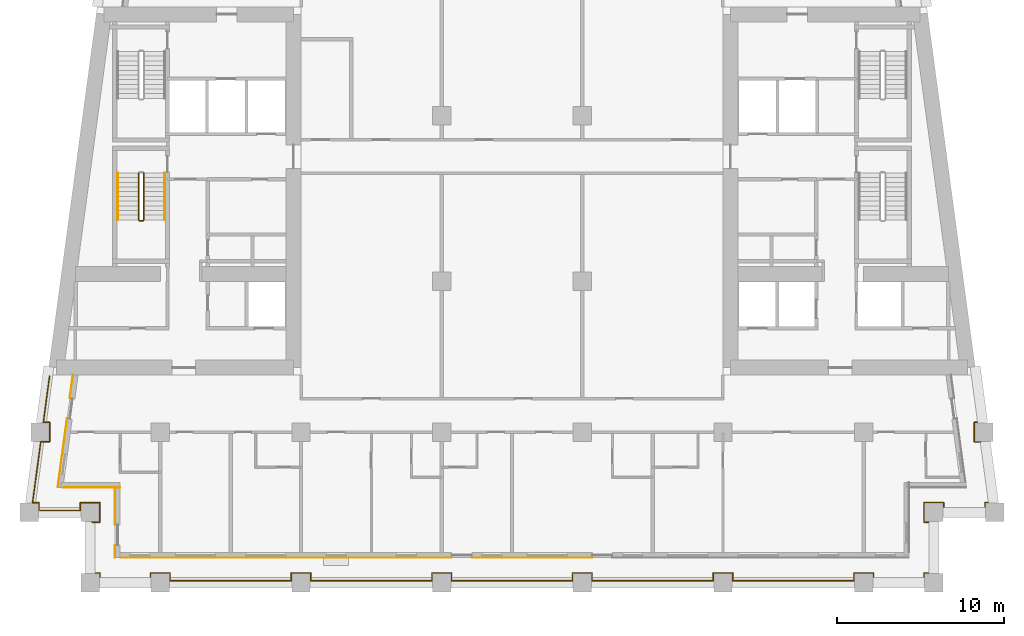
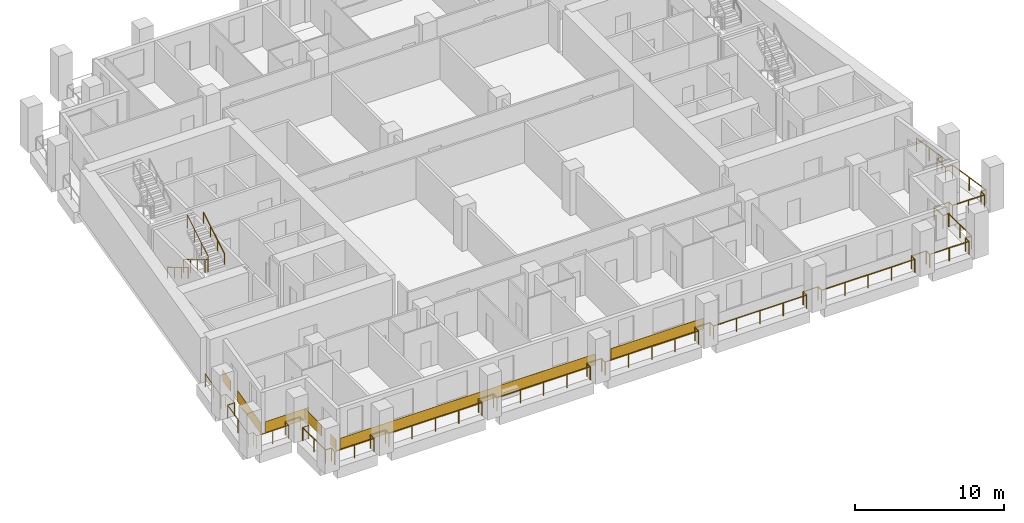
# One storey, part 9 of 13: 7 coverings, 5 railings.
"""IFC4 building model written with IfcOpenShell, lengths in metres."""

from ifc_helpers import new_model, si_unit, direction, frame, origin, origin_2d, place, context, subcontext, project, spatial, rectangle, circle, extrude, material, layer, layer_set, type_object, element, save


model = new_model("IFC4")

# Units and contexts
model_context = context("Model", 3, precision=1e-05, world=origin(), true_north=direction((0.0, 1.0)))
body_context = subcontext(model_context, "Body", "Model", "MODEL_VIEW")
ifc_project = project(units=[si_unit("LENGTHUNIT", "METRE"), si_unit("AREAUNIT", "SQUARE_METRE"), si_unit("VOLUMEUNIT", "CUBIC_METRE"), si_unit("PLANEANGLEUNIT", "RADIAN"), si_unit("MASSUNIT", "GRAM", prefix="KILO")], contexts=[model_context])

# Site, building, storey
site_placement = place(None, origin())
site = spatial("IfcSite", under=ifc_project, at=site_placement, CompositionType="ELEMENT")
building_placement = place(site_placement, origin())
building = spatial("IfcBuilding", under=site, at=building_placement, Name="Candeia Pilgrim Tower and Theatre", CompositionType="ELEMENT")
storey_placement = place(building_placement, frame((0.0, 0.0, 170.0)))
storey = spatial("IfcBuildingStorey", under=building, at=storey_placement, Name="L40", CompositionType="ELEMENT", Elevation=170.0)

# Railings
ifc_material_1 = material(Name="Stainless steel balustrade", Category="steel")
railing_type_1 = type_object("IfcRailingType", Name="G1 loggia guard 1100", PredefinedType="GUARDRAIL", material=ifc_material_1)
railing_1_placement = place(storey_placement, frame((88.320068359375, 101.6201171875, 0.0)))
element("IfcRailing", 1, at=railing_1_placement, inside=storey, type_object=railing_type_1, Name="Guard L40.1", PredefinedType="GUARDRAIL", context=body_context, shape_type="SweptSolid", body=[
    extrude(circle(Radius=0.02392578125, at=origin_2d()), frame((0.0, 0.0, 1.076171875), z_axis=(1.0, 0.0, 0.0), x_axis=(0.0, 1.0, 0.0)), (0.0, 0.0, 1.0), 0.4599609375),
    extrude(circle(Radius=0.02392578125, at=origin_2d()), frame((0.4599609375, 0.0, 1.076171875), z_axis=(0.0, 1.0, 0.0), x_axis=(-1.0, 0.0, 0.0)), (0.0, 0.0, 1.0), 1.159912109375),
    extrude(circle(Radius=0.02392578125, at=origin_2d()), frame((0.4599609375, 1.159912109375, 1.076171875), z_axis=(-1.0, 0.0, 0.0), x_axis=(0.0, -1.0, 0.0)), (0.0, 0.0, 1.0), 1.159912109375),
    extrude(circle(Radius=0.02392578125, at=origin_2d()), frame((-0.699951171875, 1.159912109375, 1.076171875), z_axis=(0.0, -1.0, 0.0), x_axis=(1.0, 0.0, 0.0)), (0.0, 0.0, 1.0), 0.4599609375),
    extrude(circle(Radius=0.02392578125, at=origin_2d()), frame((-0.699951171875, 0.699951171875, 1.076171875), z_axis=(-1.0, 0.0, 0.0), x_axis=(0.0, -1.0, 0.0)), (0.0, 0.0, 1.0), 2.474853515625),
    extrude(circle(Radius=0.02392578125, at=origin_2d()), frame((-3.1748046875, 0.699951171875, 1.076171875), z_axis=(0.0, 1.0, 0.0), x_axis=(-1.0, 0.0, 0.0)), (0.0, 0.0, 1.0), 0.4599609375),
    extrude(circle(Radius=0.02392578125, at=origin_2d()), frame((-3.1748046875, 1.159912109375, 1.076171875), z_axis=(-1.0, 0.0, 0.0), x_axis=(0.0, -1.0, 0.0)), (0.0, 0.0, 1.0), 0.380615234375),
    extrude(circle(Radius=0.02392578125, at=origin_2d()), frame((-3.555419921875, 1.159912109375, 1.076171875), z_axis=(0.133413267734, 0.9910604926, 0.0), x_axis=(-0.9910604926, 0.133413267734, 0.0)), (0.0, 0.0, 1.0), 3.672607421875),
    extrude(circle(Radius=0.02392578125, at=origin_2d()), frame((-3.0654296875, 4.7998046875, 1.076171875), z_axis=(1.0, 0.0, 0.0), x_axis=(0.0, 1.0, 0.0)), (0.0, 0.0, 1.0), 0.536865234375),
    extrude(circle(Radius=0.02392578125, at=origin_2d()), frame((-2.528564453125, 4.7998046875, 1.076171875), z_axis=(0.0, 1.0, 0.0), x_axis=(-1.0, 0.0, 0.0)), (0.0, 0.0, 1.0), 1.16015625),
    extrude(circle(Radius=0.02392578125, at=origin_2d()), frame((-2.528564453125, 5.9599609375, 1.076171875), z_axis=(-1.0, 0.0, 0.0), x_axis=(0.0, -1.0, 0.0)), (0.0, 0.0, 1.0), 0.380859375),
    extrude(circle(Radius=0.02392578125, at=origin_2d()), frame((-2.909423828125, 5.9599609375, 1.076171875), z_axis=(0.133468107709, 0.99105310868, 0.0), x_axis=(-0.99105310868, 0.133468107709, 0.0)), (0.0, 0.0, 1.0), 2.794921875),
    extrude(circle(Radius=0.02099609375, at=origin_2d()), origin(), (0.0, 0.0, 1.0), 1.052001953125),
    extrude(circle(Radius=0.02099609375, at=origin_2d()), frame((0.4599609375, 0.0, 0.0)), (0.0, 0.0, 1.0), 1.052001953125),
    extrude(circle(Radius=0.02099609375, at=origin_2d()), frame((0.4599609375, 1.159912109375, 0.0)), (0.0, 0.0, 1.0), 1.052001953125),
    extrude(circle(Radius=0.02099609375, at=origin_2d()), frame((-0.699951171875, 1.159912109375, 0.0)), (0.0, 0.0, 1.0), 1.052001953125),
    extrude(circle(Radius=0.02099609375, at=origin_2d()), frame((-0.699951171875, 0.699951171875, 0.0)), (0.0, 0.0, 1.0), 1.052001953125),
    extrude(circle(Radius=0.02099609375, at=origin_2d()), frame((-1.9375, 0.699951171875, 0.0)), (0.0, 0.0, 1.0), 1.052001953125),
    extrude(circle(Radius=0.02099609375, at=origin_2d()), frame((-3.1748046875, 0.699951171875, 0.0)), (0.0, 0.0, 1.0), 1.052001953125),
    extrude(circle(Radius=0.02099609375, at=origin_2d()), frame((-3.1748046875, 1.159912109375, 0.0)), (0.0, 0.0, 1.0), 1.052001953125),
    extrude(circle(Radius=0.02099609375, at=origin_2d()), frame((-3.555419921875, 1.159912109375, 0.0)), (0.0, 0.0, 1.0), 1.052001953125),
    extrude(circle(Radius=0.02099609375, at=origin_2d()), frame((-3.310546875, 2.97998046875, 0.0)), (0.0, 0.0, 1.0), 1.052001953125),
    extrude(circle(Radius=0.02099609375, at=origin_2d()), frame((-3.0654296875, 4.7998046875, 0.0)), (0.0, 0.0, 1.0), 1.052001953125),
    extrude(circle(Radius=0.02099609375, at=origin_2d()), frame((-2.528564453125, 4.7998046875, 0.0)), (0.0, 0.0, 1.0), 1.052001953125),
    extrude(circle(Radius=0.02099609375, at=origin_2d()), frame((-2.528564453125, 5.9599609375, 0.0)), (0.0, 0.0, 1.0), 1.052001953125),
    extrude(circle(Radius=0.02099609375, at=origin_2d()), frame((-2.909423828125, 5.9599609375, 0.0)), (0.0, 0.0, 1.0), 1.052001953125),
    extrude(circle(Radius=0.02099609375, at=origin_2d()), frame((-2.722900390625, 7.344970703125, 0.0)), (0.0, 0.0, 1.0), 1.052001953125),
    extrude(circle(Radius=0.02099609375, at=origin_2d()), frame((-2.536376953125, 8.72998046875, 0.0)), (0.0, 0.0, 1.0), 1.052001953125),
])
railing_2_placement = place(storey_placement, frame((141.016357421875, 110.35009765625, 0.0)))
element("IfcRailing", 2, at=railing_2_placement, inside=storey, type_object=railing_type_1, Name="Guard L40.4", PredefinedType="GUARDRAIL", context=body_context, shape_type="SweptSolid", body=[
    extrude(circle(Radius=0.02392578125, at=origin_2d()), frame((0.0, 0.0, 1.076171875), z_axis=(0.133468107709, -0.99105310868, 0.0), x_axis=(0.99105310868, 0.133468107709, 0.0)), (0.0, 0.0, 1.0), 2.794921875),
    extrude(circle(Radius=0.02392578125, at=origin_2d()), frame((0.373046875, -2.77001953125, 1.076171875), z_axis=(-1.0, 0.0, 0.0), x_axis=(0.0, -1.0, 0.0)), (0.0, 0.0, 1.0), 0.380859375),
    extrude(circle(Radius=0.02392578125, at=origin_2d()), frame((-0.0078125, -2.77001953125, 1.076171875), z_axis=(0.0, -1.0, 0.0), x_axis=(1.0, 0.0, 0.0)), (0.0, 0.0, 1.0), 1.16015625),
    extrude(circle(Radius=0.02392578125, at=origin_2d()), frame((-0.0078125, -3.93017578125, 1.076171875), z_axis=(1.0, 0.0, 0.0), x_axis=(0.0, 1.0, 0.0)), (0.0, 0.0, 1.0), 0.536865234375),
    extrude(circle(Radius=0.02392578125, at=origin_2d()), frame((0.529052734375, -3.93017578125, 1.076171875), z_axis=(0.133413267734, -0.9910604926, 0.0), x_axis=(0.9910604926, 0.133413267734, 0.0)), (0.0, 0.0, 1.0), 3.672607421875),
    extrude(circle(Radius=0.02392578125, at=origin_2d()), frame((1.01904296875, -7.570068359375, 1.076171875), z_axis=(-1.0, 0.0, 0.0), x_axis=(0.0, -1.0, 0.0)), (0.0, 0.0, 1.0), 0.380859375),
    extrude(circle(Radius=0.02392578125, at=origin_2d()), frame((0.63818359375, -7.570068359375, 1.076171875), z_axis=(0.0, -1.0, 0.0), x_axis=(1.0, 0.0, 0.0)), (0.0, 0.0, 1.0), 0.4599609375),
    extrude(circle(Radius=0.02392578125, at=origin_2d()), frame((0.63818359375, -8.030029296875, 1.076171875), z_axis=(-1.0, 0.0, 0.0), x_axis=(0.0, -1.0, 0.0)), (0.0, 0.0, 1.0), 2.474609375),
    extrude(circle(Radius=0.02392578125, at=origin_2d()), frame((-1.83642578125, -8.030029296875, 1.076171875), z_axis=(0.0, 1.0, 0.0), x_axis=(-1.0, 0.0, 0.0)), (0.0, 0.0, 1.0), 0.4599609375),
    extrude(circle(Radius=0.02392578125, at=origin_2d()), frame((-1.83642578125, -7.570068359375, 1.076171875), z_axis=(-1.0, 0.0, 0.0), x_axis=(0.0, -1.0, 0.0)), (0.0, 0.0, 1.0), 1.159912109375),
    extrude(circle(Radius=0.02392578125, at=origin_2d()), frame((-2.996337890625, -7.570068359375, 1.076171875), z_axis=(0.0, -1.0, 0.0), x_axis=(1.0, 0.0, 0.0)), (0.0, 0.0, 1.0), 1.159912109375),
    extrude(circle(Radius=0.02392578125, at=origin_2d()), frame((-2.996337890625, -8.72998046875, 1.076171875), z_axis=(1.0, 0.0, 0.0), x_axis=(0.0, 1.0, 0.0)), (0.0, 0.0, 1.0), 0.4599609375),
    extrude(circle(Radius=0.02392578125, at=origin_2d()), frame((-2.536376953125, -8.72998046875, 1.076171875), z_axis=(0.0, -1.0, 0.0), x_axis=(1.0, 0.0, 0.0)), (0.0, 0.0, 1.0), 3.0400390625),
    extrude(circle(Radius=0.02392578125, at=origin_2d()), frame((-2.536376953125, -11.77001953125, 1.076171875), z_axis=(-1.0, 0.0, 0.0), x_axis=(0.0, -1.0, 0.0)), (0.0, 0.0, 1.0), 0.4599609375),
    extrude(circle(Radius=0.02392578125, at=origin_2d()), frame((-2.996337890625, -11.77001953125, 1.076171875), z_axis=(0.0, -1.0, 0.0), x_axis=(1.0, 0.0, 0.0)), (0.0, 0.0, 1.0), 0.4599609375),
    extrude(circle(Radius=0.02392578125, at=origin_2d()), frame((-2.996337890625, -12.22998046875, 1.076171875), z_axis=(-1.0, 0.0, 0.0), x_axis=(0.0, -1.0, 0.0)), (0.0, 0.0, 1.0), 3.0400390625),
    extrude(circle(Radius=0.02392578125, at=origin_2d()), frame((-6.036376953125, -12.22998046875, 1.076171875), z_axis=(0.0, 1.0, 0.0), x_axis=(-1.0, 0.0, 0.0)), (0.0, 0.0, 1.0), 0.4599609375),
    extrude(circle(Radius=0.02392578125, at=origin_2d()), frame((-6.036376953125, -11.77001953125, 1.076171875), z_axis=(-1.0, 0.0, 0.0), x_axis=(0.0, -1.0, 0.0)), (0.0, 0.0, 1.0), 1.159912109375),
    extrude(circle(Radius=0.02392578125, at=origin_2d()), frame((-7.1962890625, -11.77001953125, 1.076171875), z_axis=(0.0, -1.0, 0.0), x_axis=(1.0, 0.0, 0.0)), (0.0, 0.0, 1.0), 0.4599609375),
    extrude(circle(Radius=0.02392578125, at=origin_2d()), frame((-7.1962890625, -12.22998046875, 1.076171875), z_axis=(-1.0, 0.0, 0.0), x_axis=(0.0, -1.0, 0.0)), (0.0, 0.0, 1.0), 7.239990234375),
    extrude(circle(Radius=0.02392578125, at=origin_2d()), frame((-14.436279296875, -12.22998046875, 1.076171875), z_axis=(0.0, 1.0, 0.0), x_axis=(-1.0, 0.0, 0.0)), (0.0, 0.0, 1.0), 0.4599609375),
    extrude(circle(Radius=0.02392578125, at=origin_2d()), frame((-14.436279296875, -11.77001953125, 1.076171875), z_axis=(-1.0, 0.0, 0.0), x_axis=(0.0, -1.0, 0.0)), (0.0, 0.0, 1.0), 1.16015625),
    extrude(circle(Radius=0.02392578125, at=origin_2d()), frame((-15.596435546875, -11.77001953125, 1.076171875), z_axis=(0.0, -1.0, 0.0), x_axis=(1.0, 0.0, 0.0)), (0.0, 0.0, 1.0), 0.4599609375),
    extrude(circle(Radius=0.02392578125, at=origin_2d()), frame((-15.596435546875, -12.22998046875, 1.076171875), z_axis=(-1.0, 0.0, 0.0), x_axis=(0.0, -1.0, 0.0)), (0.0, 0.0, 1.0), 7.239990234375),
    extrude(circle(Radius=0.02392578125, at=origin_2d()), frame((-22.83642578125, -12.22998046875, 1.076171875), z_axis=(0.0, 1.0, 0.0), x_axis=(-1.0, 0.0, 0.0)), (0.0, 0.0, 1.0), 0.4599609375),
    extrude(circle(Radius=0.02392578125, at=origin_2d()), frame((-22.83642578125, -11.77001953125, 1.076171875), z_axis=(-1.0, 0.0, 0.0), x_axis=(0.0, -1.0, 0.0)), (0.0, 0.0, 1.0), 1.159912109375),
    extrude(circle(Radius=0.02392578125, at=origin_2d()), frame((-23.996337890625, -11.77001953125, 1.076171875), z_axis=(0.0, -1.0, 0.0), x_axis=(1.0, 0.0, 0.0)), (0.0, 0.0, 1.0), 0.4599609375),
    extrude(circle(Radius=0.02392578125, at=origin_2d()), frame((-23.996337890625, -12.22998046875, 1.076171875), z_axis=(-1.0, 0.0, 0.0), x_axis=(0.0, -1.0, 0.0)), (0.0, 0.0, 1.0), 7.239990234375),
    extrude(circle(Radius=0.02392578125, at=origin_2d()), frame((-31.236328125, -12.22998046875, 1.076171875), z_axis=(0.0, 1.0, 0.0), x_axis=(-1.0, 0.0, 0.0)), (0.0, 0.0, 1.0), 0.4599609375),
    extrude(circle(Radius=0.02392578125, at=origin_2d()), frame((-31.236328125, -11.77001953125, 1.076171875), z_axis=(-1.0, 0.0, 0.0), x_axis=(0.0, -1.0, 0.0)), (0.0, 0.0, 1.0), 1.159912109375),
    extrude(circle(Radius=0.02392578125, at=origin_2d()), frame((-32.396240234375, -11.77001953125, 1.076171875), z_axis=(0.0, -1.0, 0.0), x_axis=(1.0, 0.0, 0.0)), (0.0, 0.0, 1.0), 0.4599609375),
    extrude(circle(Radius=0.02392578125, at=origin_2d()), frame((-32.396240234375, -12.22998046875, 1.076171875), z_axis=(-1.0, 0.0, 0.0), x_axis=(0.0, -1.0, 0.0)), (0.0, 0.0, 1.0), 7.240234375),
    extrude(circle(Radius=0.02392578125, at=origin_2d()), frame((-39.636474609375, -12.22998046875, 1.076171875), z_axis=(0.0, 1.0, 0.0), x_axis=(-1.0, 0.0, 0.0)), (0.0, 0.0, 1.0), 0.4599609375),
    extrude(circle(Radius=0.02392578125, at=origin_2d()), frame((-39.636474609375, -11.77001953125, 1.076171875), z_axis=(-1.0, 0.0, 0.0), x_axis=(0.0, -1.0, 0.0)), (0.0, 0.0, 1.0), 1.159912109375),
    extrude(circle(Radius=0.02392578125, at=origin_2d()), frame((-40.79638671875, -11.77001953125, 1.076171875), z_axis=(0.0, -1.0, 0.0), x_axis=(1.0, 0.0, 0.0)), (0.0, 0.0, 1.0), 0.4599609375),
    extrude(circle(Radius=0.02392578125, at=origin_2d()), frame((-40.79638671875, -12.22998046875, 1.076171875), z_axis=(-1.0, 0.0, 0.0), x_axis=(0.0, -1.0, 0.0)), (0.0, 0.0, 1.0), 7.239990234375),
    extrude(circle(Radius=0.02392578125, at=origin_2d()), frame((-48.036376953125, -12.22998046875, 1.076171875), z_axis=(0.0, 1.0, 0.0), x_axis=(-1.0, 0.0, 0.0)), (0.0, 0.0, 1.0), 0.4599609375),
    extrude(circle(Radius=0.02392578125, at=origin_2d()), frame((-48.036376953125, -11.77001953125, 1.076171875), z_axis=(-1.0, 0.0, 0.0), x_axis=(0.0, -1.0, 0.0)), (0.0, 0.0, 1.0), 1.159912109375),
    extrude(circle(Radius=0.02392578125, at=origin_2d()), frame((-49.1962890625, -11.77001953125, 1.076171875), z_axis=(0.0, -1.0, 0.0), x_axis=(1.0, 0.0, 0.0)), (0.0, 0.0, 1.0), 0.4599609375),
    extrude(circle(Radius=0.02392578125, at=origin_2d()), frame((-49.1962890625, -12.22998046875, 1.076171875), z_axis=(-1.0, 0.0, 0.0), x_axis=(0.0, -1.0, 0.0)), (0.0, 0.0, 1.0), 3.0400390625),
    extrude(circle(Radius=0.02392578125, at=origin_2d()), frame((-52.236328125, -12.22998046875, 1.076171875), z_axis=(0.0, 1.0, 0.0), x_axis=(-1.0, 0.0, 0.0)), (0.0, 0.0, 1.0), 0.4599609375),
    extrude(circle(Radius=0.02392578125, at=origin_2d()), frame((-52.236328125, -11.77001953125, 1.076171875), z_axis=(-1.0, 0.0, 0.0), x_axis=(0.0, -1.0, 0.0)), (0.0, 0.0, 1.0), 0.4599609375),
    extrude(circle(Radius=0.02392578125, at=origin_2d()), frame((-52.6962890625, -11.77001953125, 1.076171875), z_axis=(0.0, 1.0, 0.0), x_axis=(-1.0, 0.0, 0.0)), (0.0, 0.0, 1.0), 3.0400390625),
    extrude(circle(Radius=0.02099609375, at=origin_2d()), origin(), (0.0, 0.0, 1.0), 1.052001953125),
    extrude(circle(Radius=0.02099609375, at=origin_2d()), frame((0.1865234375, -1.385009765625, 0.0)), (0.0, 0.0, 1.0), 1.052001953125),
    extrude(circle(Radius=0.02099609375, at=origin_2d()), frame((0.373046875, -2.77001953125, 0.0)), (0.0, 0.0, 1.0), 1.052001953125),
    extrude(circle(Radius=0.02099609375, at=origin_2d()), frame((-0.0078125, -2.77001953125, 0.0)), (0.0, 0.0, 1.0), 1.052001953125),
    extrude(circle(Radius=0.02099609375, at=origin_2d()), frame((-0.0078125, -3.93017578125, 0.0)), (0.0, 0.0, 1.0), 1.052001953125),
    extrude(circle(Radius=0.02099609375, at=origin_2d()), frame((0.529052734375, -3.93017578125, 0.0)), (0.0, 0.0, 1.0), 1.052001953125),
    extrude(circle(Radius=0.02099609375, at=origin_2d()), frame((0.77392578125, -5.75, 0.0)), (0.0, 0.0, 1.0), 1.052001953125),
    extrude(circle(Radius=0.02099609375, at=origin_2d()), frame((1.01904296875, -7.570068359375, 0.0)), (0.0, 0.0, 1.0), 1.052001953125),
    extrude(circle(Radius=0.02099609375, at=origin_2d()), frame((0.63818359375, -7.570068359375, 0.0)), (0.0, 0.0, 1.0), 1.052001953125),
    extrude(circle(Radius=0.02099609375, at=origin_2d()), frame((0.63818359375, -8.030029296875, 0.0)), (0.0, 0.0, 1.0), 1.052001953125),
    extrude(circle(Radius=0.02099609375, at=origin_2d()), frame((-0.59912109375, -8.030029296875, 0.0)), (0.0, 0.0, 1.0), 1.052001953125),
    extrude(circle(Radius=0.02099609375, at=origin_2d()), frame((-1.83642578125, -8.030029296875, 0.0)), (0.0, 0.0, 1.0), 1.052001953125),
    extrude(circle(Radius=0.02099609375, at=origin_2d()), frame((-1.83642578125, -7.570068359375, 0.0)), (0.0, 0.0, 1.0), 1.052001953125),
    extrude(circle(Radius=0.02099609375, at=origin_2d()), frame((-2.996337890625, -7.570068359375, 0.0)), (0.0, 0.0, 1.0), 1.052001953125),
    extrude(circle(Radius=0.02099609375, at=origin_2d()), frame((-2.996337890625, -8.72998046875, 0.0)), (0.0, 0.0, 1.0), 1.052001953125),
    extrude(circle(Radius=0.02099609375, at=origin_2d()), frame((-2.536376953125, -8.72998046875, 0.0)), (0.0, 0.0, 1.0), 1.052001953125),
    extrude(circle(Radius=0.02099609375, at=origin_2d()), frame((-2.536376953125, -10.25, 0.0)), (0.0, 0.0, 1.0), 1.052001953125),
    extrude(circle(Radius=0.02099609375, at=origin_2d()), frame((-2.536376953125, -11.77001953125, 0.0)), (0.0, 0.0, 1.0), 1.052001953125),
    extrude(circle(Radius=0.02099609375, at=origin_2d()), frame((-2.996337890625, -11.77001953125, 0.0)), (0.0, 0.0, 1.0), 1.052001953125),
    extrude(circle(Radius=0.02099609375, at=origin_2d()), frame((-2.996337890625, -12.22998046875, 0.0)), (0.0, 0.0, 1.0), 1.052001953125),
    extrude(circle(Radius=0.02099609375, at=origin_2d()), frame((-4.516357421875, -12.22998046875, 0.0)), (0.0, 0.0, 1.0), 1.052001953125),
    extrude(circle(Radius=0.02099609375, at=origin_2d()), frame((-6.036376953125, -12.22998046875, 0.0)), (0.0, 0.0, 1.0), 1.052001953125),
    extrude(circle(Radius=0.02099609375, at=origin_2d()), frame((-6.036376953125, -11.77001953125, 0.0)), (0.0, 0.0, 1.0), 1.052001953125),
    extrude(circle(Radius=0.02099609375, at=origin_2d()), frame((-7.1962890625, -11.77001953125, 0.0)), (0.0, 0.0, 1.0), 1.052001953125),
    extrude(circle(Radius=0.02099609375, at=origin_2d()), frame((-7.1962890625, -12.22998046875, 0.0)), (0.0, 0.0, 1.0), 1.052001953125),
    extrude(circle(Radius=0.02099609375, at=origin_2d()), frame((-9.00634765625, -12.22998046875, 0.0)), (0.0, 0.0, 1.0), 1.052001953125),
    extrude(circle(Radius=0.02099609375, at=origin_2d()), frame((-10.81640625, -12.22998046875, 0.0)), (0.0, 0.0, 1.0), 1.052001953125),
    extrude(circle(Radius=0.02099609375, at=origin_2d()), frame((-12.626220703125, -12.22998046875, 0.0)), (0.0, 0.0, 1.0), 1.052001953125),
    extrude(circle(Radius=0.02099609375, at=origin_2d()), frame((-14.436279296875, -12.22998046875, 0.0)), (0.0, 0.0, 1.0), 1.052001953125),
    extrude(circle(Radius=0.02099609375, at=origin_2d()), frame((-14.436279296875, -11.77001953125, 0.0)), (0.0, 0.0, 1.0), 1.052001953125),
    extrude(circle(Radius=0.02099609375, at=origin_2d()), frame((-15.596435546875, -11.77001953125, 0.0)), (0.0, 0.0, 1.0), 1.052001953125),
    extrude(circle(Radius=0.02099609375, at=origin_2d()), frame((-15.596435546875, -12.22998046875, 0.0)), (0.0, 0.0, 1.0), 1.052001953125),
    extrude(circle(Radius=0.02099609375, at=origin_2d()), frame((-17.406494140625, -12.22998046875, 0.0)), (0.0, 0.0, 1.0), 1.052001953125),
    extrude(circle(Radius=0.02099609375, at=origin_2d()), frame((-19.21630859375, -12.22998046875, 0.0)), (0.0, 0.0, 1.0), 1.052001953125),
    extrude(circle(Radius=0.02099609375, at=origin_2d()), frame((-21.0263671875, -12.22998046875, 0.0)), (0.0, 0.0, 1.0), 1.052001953125),
    extrude(circle(Radius=0.02099609375, at=origin_2d()), frame((-22.83642578125, -12.22998046875, 0.0)), (0.0, 0.0, 1.0), 1.052001953125),
    extrude(circle(Radius=0.02099609375, at=origin_2d()), frame((-22.83642578125, -11.77001953125, 0.0)), (0.0, 0.0, 1.0), 1.052001953125),
    extrude(circle(Radius=0.02099609375, at=origin_2d()), frame((-23.996337890625, -11.77001953125, 0.0)), (0.0, 0.0, 1.0), 1.052001953125),
    extrude(circle(Radius=0.02099609375, at=origin_2d()), frame((-23.996337890625, -12.22998046875, 0.0)), (0.0, 0.0, 1.0), 1.052001953125),
    extrude(circle(Radius=0.02099609375, at=origin_2d()), frame((-25.806396484375, -12.22998046875, 0.0)), (0.0, 0.0, 1.0), 1.052001953125),
    extrude(circle(Radius=0.02099609375, at=origin_2d()), frame((-27.6162109375, -12.22998046875, 0.0)), (0.0, 0.0, 1.0), 1.052001953125),
    extrude(circle(Radius=0.02099609375, at=origin_2d()), frame((-29.42626953125, -12.22998046875, 0.0)), (0.0, 0.0, 1.0), 1.052001953125),
    extrude(circle(Radius=0.02099609375, at=origin_2d()), frame((-31.236328125, -12.22998046875, 0.0)), (0.0, 0.0, 1.0), 1.052001953125),
    extrude(circle(Radius=0.02099609375, at=origin_2d()), frame((-31.236328125, -11.77001953125, 0.0)), (0.0, 0.0, 1.0), 1.052001953125),
    extrude(circle(Radius=0.02099609375, at=origin_2d()), frame((-32.396240234375, -11.77001953125, 0.0)), (0.0, 0.0, 1.0), 1.052001953125),
    extrude(circle(Radius=0.02099609375, at=origin_2d()), frame((-32.396240234375, -12.22998046875, 0.0)), (0.0, 0.0, 1.0), 1.052001953125),
    extrude(circle(Radius=0.02099609375, at=origin_2d()), frame((-34.206298828125, -12.22998046875, 0.0)), (0.0, 0.0, 1.0), 1.052001953125),
    extrude(circle(Radius=0.02099609375, at=origin_2d()), frame((-36.016357421875, -12.22998046875, 0.0)), (0.0, 0.0, 1.0), 1.052001953125),
    extrude(circle(Radius=0.02099609375, at=origin_2d()), frame((-37.826416015625, -12.22998046875, 0.0)), (0.0, 0.0, 1.0), 1.052001953125),
    extrude(circle(Radius=0.02099609375, at=origin_2d()), frame((-39.636474609375, -12.22998046875, 0.0)), (0.0, 0.0, 1.0), 1.052001953125),
    extrude(circle(Radius=0.02099609375, at=origin_2d()), frame((-39.636474609375, -11.77001953125, 0.0)), (0.0, 0.0, 1.0), 1.052001953125),
    extrude(circle(Radius=0.02099609375, at=origin_2d()), frame((-40.79638671875, -11.77001953125, 0.0)), (0.0, 0.0, 1.0), 1.052001953125),
    extrude(circle(Radius=0.02099609375, at=origin_2d()), frame((-40.79638671875, -12.22998046875, 0.0)), (0.0, 0.0, 1.0), 1.052001953125),
    extrude(circle(Radius=0.02099609375, at=origin_2d()), frame((-42.6064453125, -12.22998046875, 0.0)), (0.0, 0.0, 1.0), 1.052001953125),
    extrude(circle(Radius=0.02099609375, at=origin_2d()), frame((-44.41650390625, -12.22998046875, 0.0)), (0.0, 0.0, 1.0), 1.052001953125),
    extrude(circle(Radius=0.02099609375, at=origin_2d()), frame((-46.226318359375, -12.22998046875, 0.0)), (0.0, 0.0, 1.0), 1.052001953125),
    extrude(circle(Radius=0.02099609375, at=origin_2d()), frame((-48.036376953125, -12.22998046875, 0.0)), (0.0, 0.0, 1.0), 1.052001953125),
    extrude(circle(Radius=0.02099609375, at=origin_2d()), frame((-48.036376953125, -11.77001953125, 0.0)), (0.0, 0.0, 1.0), 1.052001953125),
    extrude(circle(Radius=0.02099609375, at=origin_2d()), frame((-49.1962890625, -11.77001953125, 0.0)), (0.0, 0.0, 1.0), 1.052001953125),
    extrude(circle(Radius=0.02099609375, at=origin_2d()), frame((-49.1962890625, -12.22998046875, 0.0)), (0.0, 0.0, 1.0), 1.052001953125),
    extrude(circle(Radius=0.02099609375, at=origin_2d()), frame((-50.71630859375, -12.22998046875, 0.0)), (0.0, 0.0, 1.0), 1.052001953125),
    extrude(circle(Radius=0.02099609375, at=origin_2d()), frame((-52.236328125, -12.22998046875, 0.0)), (0.0, 0.0, 1.0), 1.052001953125),
    extrude(circle(Radius=0.02099609375, at=origin_2d()), frame((-52.236328125, -11.77001953125, 0.0)), (0.0, 0.0, 1.0), 1.052001953125),
    extrude(circle(Radius=0.02099609375, at=origin_2d()), frame((-52.6962890625, -11.77001953125, 0.0)), (0.0, 0.0, 1.0), 1.052001953125),
    extrude(circle(Radius=0.02099609375, at=origin_2d()), frame((-52.6962890625, -10.25, 0.0)), (0.0, 0.0, 1.0), 1.052001953125),
    extrude(circle(Radius=0.02099609375, at=origin_2d()), frame((-52.6962890625, -8.72998046875, 0.0)), (0.0, 0.0, 1.0), 1.052001953125),
])

# Coverings
ifc_material_2 = material(Name="Glazed ceramic tile rust")
ifc_layer = layer(ifc_material_2, 0.02001953125)
ifc_layer_set = layer_set([ifc_layer], Name="Glazed ceramic tile rust")
covering_type = type_object("IfcCoveringType", Name="Glazed ceramic tile rust", PredefinedType="CLADDING", material=ifc_layer_set)
covering_1_placement = place(storey_placement, frame((99.909912109375, 99.489990234375, 0.0), z_axis=(0.0, 0.0, 1.0), x_axis=(1.0, 0.0, 0.0)))
element("IfcCovering", 3, at=covering_1_placement, inside=storey, type_object=covering_type, Name="Tile cladding rust L40", PredefinedType="CLADDING", context=body_context, shape_type="SweptSolid", body=[
    extrude(rectangle(XDim=19.780029296875, YDim=0.02001953125, at=origin_2d()), origin(), (0.0, 0.0, 1.0), 0.89990234375),
])
covering_2_placement = place(storey_placement, frame((114.60009765625, 99.489990234375, 0.0), z_axis=(0.0, 0.0, 1.0), x_axis=(1.0, 0.0, 0.0)))
element("IfcCovering", 4, at=covering_2_placement, inside=storey, type_object=covering_type, Name="Tile cladding rust L40", PredefinedType="CLADDING", context=body_context, shape_type="SweptSolid", body=[
    extrude(rectangle(XDim=7.199951171875, YDim=0.02001953125, at=origin_2d()), origin(), (0.0, 0.0, 1.0), 0.89990234375),
])
covering_3_placement = place(storey_placement, frame((87.0810546875, 109.71875, 0.0), z_axis=(0.0, 0.0, 1.0), x_axis=(-0.133412012145, -0.991060661622, 0.0)))
element("IfcCovering", 5, at=covering_3_placement, inside=storey, type_object=covering_type, Name="Tile cladding rust L40", PredefinedType="CLADDING", context=body_context, shape_type="SweptSolid", body=[
    extrude(rectangle(XDim=1.41796875, YDim=0.02001953125, at=origin_2d()), origin(), (0.0, 0.0, 1.0), 0.89990234375),
])
covering_4_placement = place(storey_placement, frame((86.548583984375, 105.763916015625, 0.0), z_axis=(0.0, 0.0, 1.0), x_axis=(-0.133412012145, -0.991060661622, 0.0)))
element("IfcCovering", 6, at=covering_4_placement, inside=storey, type_object=covering_type, Name="Tile cladding rust L40", PredefinedType="CLADDING", context=body_context, shape_type="SweptSolid", body=[
    extrude(rectangle(XDim=4.16259765625, YDim=0.02001953125, at=origin_2d()), origin(), (0.0, 0.0, 1.0), 0.89990234375),
])
covering_5_placement = place(storey_placement, frame((88.311279296875, 103.68994140625, 0.0), z_axis=(0.0, 0.0, 1.0), x_axis=(1.0, 0.0, 0.0)))
element("IfcCovering", 7, at=covering_5_placement, inside=storey, type_object=covering_type, Name="Tile cladding rust L40", PredefinedType="CLADDING", context=body_context, shape_type="SweptSolid", body=[
    extrude(rectangle(XDim=3.377685546875, YDim=0.02001953125, at=origin_2d()), origin(), (0.0, 0.0, 1.0), 0.89990234375),
])
covering_6_placement = place(storey_placement, frame((89.68994140625, 102.56494140625, 0.0), z_axis=(0.0, 0.0, 1.0), x_axis=(0.0, -1.0, 0.0)))
element("IfcCovering", 8, at=covering_6_placement, inside=storey, type_object=covering_type, Name="Tile cladding rust L40", PredefinedType="CLADDING", context=body_context, shape_type="SweptSolid", body=[
    extrude(rectangle(XDim=2.22998046875, YDim=0.02001953125, at=origin_2d()), origin(), (0.0, 0.0, 1.0), 0.89990234375),
])
covering_7_placement = place(storey_placement, frame((89.68994140625, 99.875, 0.0), z_axis=(0.0, 0.0, 1.0), x_axis=(0.0, -1.0, 0.0)))
element("IfcCovering", 9, at=covering_7_placement, inside=storey, type_object=covering_type, Name="Tile cladding rust L40", PredefinedType="CLADDING", context=body_context, shape_type="SweptSolid", body=[
    extrude(rectangle(XDim=0.75, YDim=0.02001953125, at=origin_2d()), origin(), (0.0, 0.0, 1.0), 0.89990234375),
])

# Railings
railing_type_2 = type_object("IfcRailingType", Name="RL-GUARD-1100", PredefinedType="GUARDRAIL", material=ifc_material_1)
railing_3_placement = place(storey_placement, frame((91.10205078125, 122.47509765625, 0.168212890625)))
element("IfcRailing", 10, at=railing_3_placement, inside=storey, type_object=railing_type_2, Name="L40 ST1 stair guard 1", PredefinedType="GUARDRAIL", context=body_context, shape_type="SweptSolid", body=[
    extrude(circle(Radius=0.02392578125, at=origin_2d()), frame((0.0, 0.0, 1.076171875), z_axis=(0.0, -0.857242210791, 0.514913383045), x_axis=(1.0, 0.0, 0.0)), (0.0, 0.0, 1.0), 3.266357421875),
    extrude(circle(Radius=0.02392578125, at=origin_2d()), frame((0.0, -2.800048828125, 2.7578125), z_axis=(0.707106781187, -0.707106781187, 0.0), x_axis=(0.707106781187, 0.707106781187, 0.0)), (0.0, 0.0, 1.0), 0.07080078125),
    extrude(circle(Radius=0.02392578125, at=origin_2d()), frame((0.050048828125, -2.85009765625, 2.7578125), z_axis=(1.0, 0.0, 0.0), x_axis=(0.0, 1.0, 0.0)), (0.0, 0.0, 1.0), 0.199951171875),
    extrude(circle(Radius=0.02392578125, at=origin_2d()), frame((0.25, -2.85009765625, 2.7578125), z_axis=(0.274582412415, 0.274582412415, 0.921525364591), x_axis=(-0.707106781187, 0.707106781187, 0.0)), (0.0, 0.0, 1.0), 0.182373046875),
    extrude(circle(Radius=0.02392578125, at=origin_2d()), frame((0.300048828125, -2.800048828125, 2.92578125), z_axis=(0.0, 0.857242210791, 0.514913383045), x_axis=(-1.0, 0.0, 0.0)), (0.0, 0.0, 1.0), 3.266357421875),
    extrude(circle(Radius=0.02099609375, at=origin_2d()), origin(), (0.0, 0.0, 1.0), 1.052001953125),
    extrude(circle(Radius=0.02099609375, at=origin_2d()), frame((0.0, -0.933349609375, 0.560546875)), (0.0, 0.0, 1.0), 1.052001953125),
    extrude(circle(Radius=0.02099609375, at=origin_2d()), frame((0.0, -1.86669921875, 1.121337890625)), (0.0, 0.0, 1.0), 1.052001953125),
    extrude(circle(Radius=0.02099609375, at=origin_2d()), frame((0.0, -2.800048828125, 1.681884765625)), (0.0, 0.0, 1.0), 1.052001953125),
    extrude(circle(Radius=0.02099609375, at=origin_2d()), frame((0.050048828125, -2.85009765625, 1.681884765625)), (0.0, 0.0, 1.0), 1.052001953125),
    extrude(circle(Radius=0.02099609375, at=origin_2d()), frame((0.25, -2.85009765625, 1.681884765625)), (0.0, 0.0, 1.0), 1.052001953125),
    extrude(circle(Radius=0.02099609375, at=origin_2d()), frame((0.300048828125, -2.800048828125, 1.849853515625)), (0.0, 0.0, 1.0), 1.052001953125),
    extrude(circle(Radius=0.02099609375, at=origin_2d()), frame((0.300048828125, -1.86669921875, 2.410400390625)), (0.0, 0.0, 1.0), 1.052001953125),
    extrude(circle(Radius=0.02099609375, at=origin_2d()), frame((0.300048828125, -0.933349609375, 2.97119140625)), (0.0, 0.0, 1.0), 1.052001953125),
    extrude(circle(Radius=0.02099609375, at=origin_2d()), frame((0.300048828125, 0.0, 3.53173828125)), (0.0, 0.0, 1.0), 1.052001953125),
])
ifc_material_3 = material(Name="Stainless steel handrail", Category="steel")
railing_type_3 = type_object("IfcRailingType", Name="RL-HANDRAIL-900", PredefinedType="HANDRAIL", material=ifc_material_3)
railing_4_placement = place(storey_placement, frame((89.85205078125, 122.47509765625, 0.168212890625)))
element("IfcRailing", 11, at=railing_4_placement, inside=storey, type_object=railing_type_3, Name="L40 ST1 stair handrail 1", PredefinedType="HANDRAIL", context=body_context, shape_type="SweptSolid", body=[
    extrude(circle(Radius=0.02392578125, at=origin_2d()), frame((0.0, 0.0, 0.8759765625), z_axis=(0.0, -0.857242210791, 0.514913383045), x_axis=(1.0, 0.0, 0.0)), (0.0, 0.0, 1.0), 3.266357421875),
    extrude(circle(Radius=0.02099609375, at=origin_2d()), origin(), (0.0, 0.0, 1.0), 0.851806640625),
    extrude(circle(Radius=0.02099609375, at=origin_2d()), frame((0.0, -0.933349609375, 0.560546875)), (0.0, 0.0, 1.0), 0.851806640625),
    extrude(circle(Radius=0.02099609375, at=origin_2d()), frame((0.0, -1.86669921875, 1.121337890625)), (0.0, 0.0, 1.0), 0.851806640625),
    extrude(circle(Radius=0.02099609375, at=origin_2d()), frame((0.0, -2.800048828125, 1.681884765625)), (0.0, 0.0, 1.0), 0.851806640625),
])
railing_5_placement = place(storey_placement, frame((92.652099609375, 119.675048828125, 2.01806640625)))
element("IfcRailing", 12, at=railing_5_placement, inside=storey, type_object=railing_type_3, Name="L40 ST1 stair handrail 2", PredefinedType="HANDRAIL", context=body_context, shape_type="SweptSolid", body=[
    extrude(circle(Radius=0.02392578125, at=origin_2d()), frame((0.0, 0.0, 0.8759765625), z_axis=(0.0, 0.857242210791, 0.514913383045), x_axis=(-1.0, 0.0, 0.0)), (0.0, 0.0, 1.0), 3.266357421875),
    extrude(circle(Radius=0.02099609375, at=origin_2d()), origin(), (0.0, 0.0, 1.0), 0.851806640625),
    extrude(circle(Radius=0.02099609375, at=origin_2d()), frame((0.0, 0.933349609375, 0.560546875)), (0.0, 0.0, 1.0), 0.851806640625),
    extrude(circle(Radius=0.02099609375, at=origin_2d()), frame((0.0, 1.86669921875, 1.121337890625)), (0.0, 0.0, 1.0), 0.851806640625),
    extrude(circle(Radius=0.02099609375, at=origin_2d()), frame((0.0, 2.800048828125, 1.681884765625)), (0.0, 0.0, 1.0), 0.851806640625),
])

save(model, "model.ifc")
